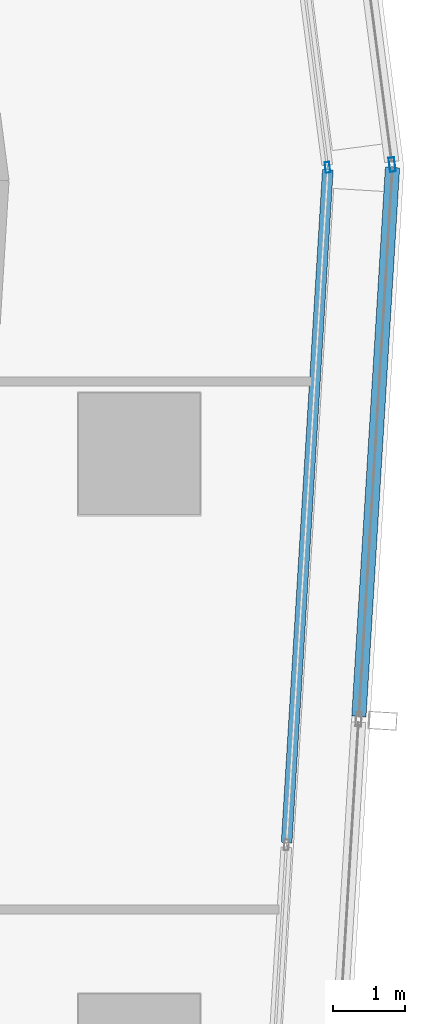
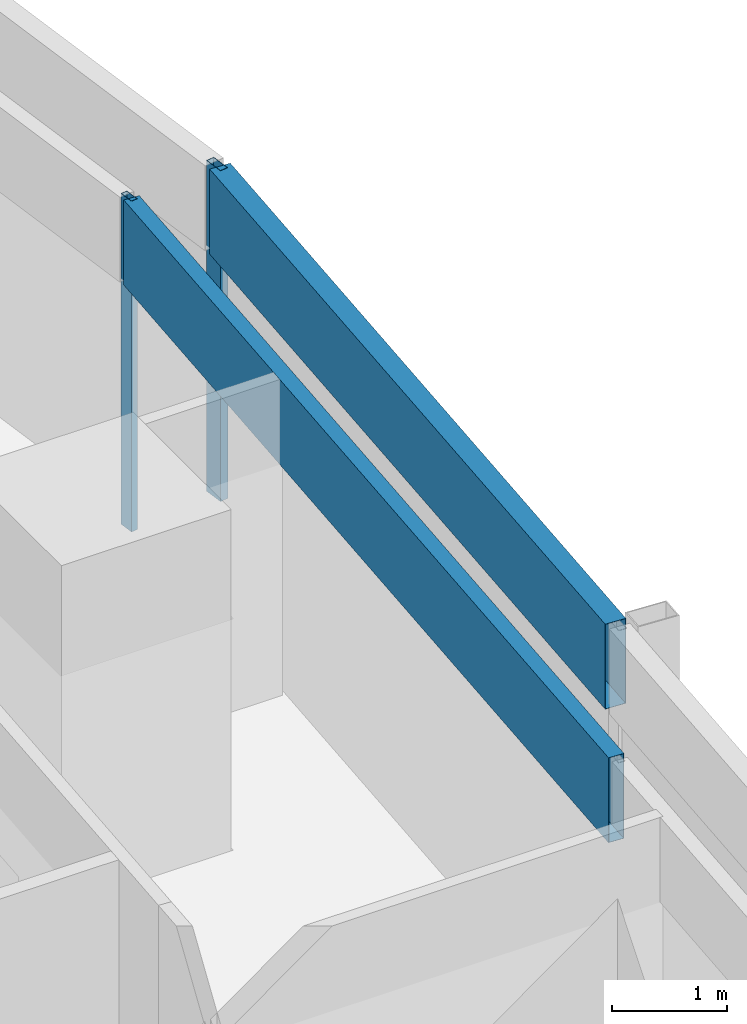
# One storey, part 25 of 40: 4 members, 4 elements without a shape of their own.
"""IFC4 building model written with IfcOpenShell, lengths in metres."""

from ifc_helpers import new_model, si_unit, direction, frame, origin, origin_2d, place, context, subcontext, project, spatial, hollow_rectangle, extrude, material, material_profile, profile_set, type_object, element, aggregate, save


model = new_model("IFC4")

# Units and contexts
model_context = context("Model", 3, precision=1e-05, world=origin(), true_north=direction((0.0, 1.0)))
body_context = subcontext(model_context, "Body", "Model", "MODEL_VIEW")
ifc_project = project(units=[si_unit("LENGTHUNIT", "METRE"), si_unit("AREAUNIT", "SQUARE_METRE"), si_unit("VOLUMEUNIT", "CUBIC_METRE"), si_unit("PLANEANGLEUNIT", "RADIAN"), si_unit("MASSUNIT", "GRAM", prefix="KILO")], contexts=[model_context])

# Site, building, storey
site_placement = place(None, origin())
site = spatial("IfcSite", under=ifc_project, at=site_placement, CompositionType="ELEMENT")
building_placement = place(site_placement, origin())
building = spatial("IfcBuilding", under=site, at=building_placement, Name="Rekha Terrace Tower", CompositionType="ELEMENT")
storey_placement = place(building_placement, frame((0.0, 0.0, 102.800048828125)))
storey = spatial("IfcBuildingStorey", under=building, at=storey_placement, Name="L25", CompositionType="ELEMENT", Elevation=102.800048828125)

# Curtain wall, member
ifc_material_1 = material(Name="Aluminium framing", Category="aluminium")
curtain_wall_type_1 = type_object("IfcCurtainWallType", Name="CW1 double skin inner glazing", PredefinedType="USERDEFINED", material=ifc_material_1)
curtain_wall_1_placement = place(storey_placement, origin())
curtain_wall_1 = element("IfcCurtainWall", 1, at=curtain_wall_1_placement, inside=storey, type_object=curtain_wall_type_1, Name="CW1 double skin inner glazing", ObjectType="DOUBLE SKIN INNER GLAZING", PredefinedType="USERDEFINED")
ifc_material_2 = material(Name="Aluminium mullion section", Category="aluminium")
ifc_material_profile_1 = material_profile(ifc_material_2, hollow_rectangle(XDim=0.06494140625, YDim=0.14990234375, WallThickness=0.00390625, at=origin_2d()), Name="AL RHS 65x150")
ifc_profile_set_1 = profile_set([ifc_material_profile_1], Name="Aluminium mullion section")
member_type_1 = type_object("IfcMemberType", Name="CW1 mullion RHS 65 x 150", PredefinedType="MULLION", material=ifc_profile_set_1)
member_1_placement = place(storey_placement, frame((69.83154296875, 46.00390625, 0.0), z_axis=(0.0, 0.0, 1.0), x_axis=(-0.991629186237, -0.129118383675, 0.0)))
member_1 = element("IfcMember", 2, at=member_1_placement, type_object=member_type_1, Name="CW1 mullion 1", PredefinedType="MULLION", context=body_context, shape_type="SweptSolid", body=[
    extrude(hollow_rectangle(XDim=0.06494140625, YDim=0.14990234375, WallThickness=0.00390625, at=origin_2d()), origin(), (0.0, 0.0, 1.0), 3.5),
])
aggregate(curtain_wall_1, [member_1])

curtain_wall_2_placement = place(storey_placement, origin())
curtain_wall_2 = element("IfcCurtainWall", 3, at=curtain_wall_2_placement, inside=storey, type_object=curtain_wall_type_1, Name="CW1 double skin inner glazing", ObjectType="DOUBLE SKIN INNER GLAZING", PredefinedType="USERDEFINED")
ifc_material_3 = material(Name="Insulated aluminium spandrel box", Category="aluminium")
ifc_material_profile_2 = material_profile(ifc_material_3, hollow_rectangle(XDim=0.14990234375, YDim=0.89990234375, WallThickness=0.0029296875, at=origin_2d()), Name="AL SPANDREL BOX 150x900")
ifc_profile_set_2 = profile_set([ifc_material_profile_2], Name="Insulated aluminium spandrel box")
member_type_2 = type_object("IfcMemberType", Name="CW1 spandrel transom 150 x 900", PredefinedType="USERDEFINED", material=ifc_profile_set_2)
member_2_placement = place(storey_placement, frame((69.259765625, 36.569091796875, 3.050048828125), z_axis=(0.061137463969, 0.998129355594, 0.0), x_axis=(-0.998129355594, 0.061137463969, 0.0)))
member_2 = element("IfcMember", 4, at=member_2_placement, type_object=member_type_2, Name="CW1 spandrel transom 3", ObjectType="TRANSOM", PredefinedType="USERDEFINED", context=body_context, shape_type="SweptSolid", body=[
    extrude(hollow_rectangle(XDim=0.14990234375, YDim=0.89990234375, WallThickness=0.0029296875, at=origin_2d()), origin(), (0.0, 0.0, 1.0), 9.420166015625),
])
aggregate(curtain_wall_2, [member_2])

curtain_wall_type_2 = type_object("IfcCurtainWallType", Name="CW2 double skin outer glazing", PredefinedType="USERDEFINED", material=ifc_material_1)
curtain_wall_3_placement = place(storey_placement, origin())
curtain_wall_3 = element("IfcCurtainWall", 5, at=curtain_wall_3_placement, inside=storey, type_object=curtain_wall_type_2, Name="CW2 double skin outer glazing", ObjectType="DOUBLE SKIN OUTER GLAZING", PredefinedType="USERDEFINED")
ifc_material_profile_3 = material_profile(ifc_material_2, hollow_rectangle(XDim=0.080078125, YDim=0.199951171875, WallThickness=0.00390625, at=origin_2d()), Name="AL RHS 80x200")
ifc_profile_set_3 = profile_set([ifc_material_profile_3], Name="Aluminium mullion section")
member_type_3 = type_object("IfcMemberType", Name="CW2 mullion RHS 80 x 200", PredefinedType="MULLION", material=ifc_profile_set_3)
member_3_placement = place(storey_placement, frame((70.734130859375, 46.042236328125, 0.0), z_axis=(0.0, 0.0, 1.0), x_axis=(-0.991629186244, -0.129118383623, 0.0)))
member_3 = element("IfcMember", 6, at=member_3_placement, type_object=member_type_3, Name="CW2 mullion 1", PredefinedType="MULLION", context=body_context, shape_type="SweptSolid", body=[
    extrude(hollow_rectangle(XDim=0.080078125, YDim=0.199951171875, WallThickness=0.00390625, at=origin_2d()), origin(), (0.0, 0.0, 1.0), 3.5),
])
aggregate(curtain_wall_3, [member_3])

curtain_wall_4_placement = place(storey_placement, origin())
curtain_wall_4 = element("IfcCurtainWall", 7, at=curtain_wall_4_placement, inside=storey, type_object=curtain_wall_type_2, Name="CW2 double skin outer glazing", ObjectType="DOUBLE SKIN OUTER GLAZING", PredefinedType="USERDEFINED")
ifc_material_profile_4 = material_profile(ifc_material_3, hollow_rectangle(XDim=0.199951171875, YDim=0.89990234375, WallThickness=0.0029296875, at=origin_2d()), Name="AL SPANDREL BOX 200x900")
ifc_profile_set_4 = profile_set([ifc_material_profile_4], Name="Insulated aluminium spandrel box")
member_type_4 = type_object("IfcMemberType", Name="CW2 spandrel transom 200 x 900", PredefinedType="USERDEFINED", material=ifc_profile_set_4)
member_4_placement = place(storey_placement, frame((70.269287109375, 38.330322265625, 3.050048828125), z_axis=(0.061142352683, 0.998129056139, 0.0), x_axis=(-0.998129056139, 0.061142352683, 0.0)))
member_4 = element("IfcMember", 8, at=member_4_placement, type_object=member_type_4, Name="CW2 spandrel transom 4", ObjectType="TRANSOM", PredefinedType="USERDEFINED", context=body_context, shape_type="SweptSolid", body=[
    extrude(hollow_rectangle(XDim=0.199951171875, YDim=0.89990234375, WallThickness=0.0029296875, at=origin_2d()), origin(), (0.0, 0.0, 1.0), 7.6865234375),
])
aggregate(curtain_wall_4, [member_4])

save(model, "model.ifc")
